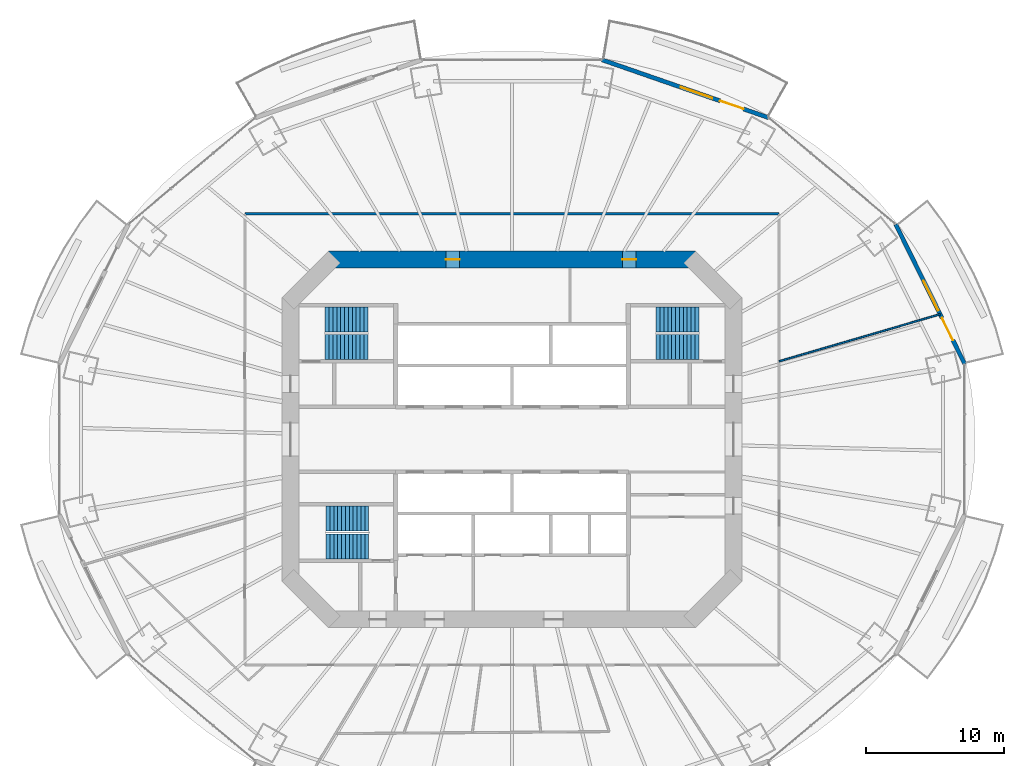
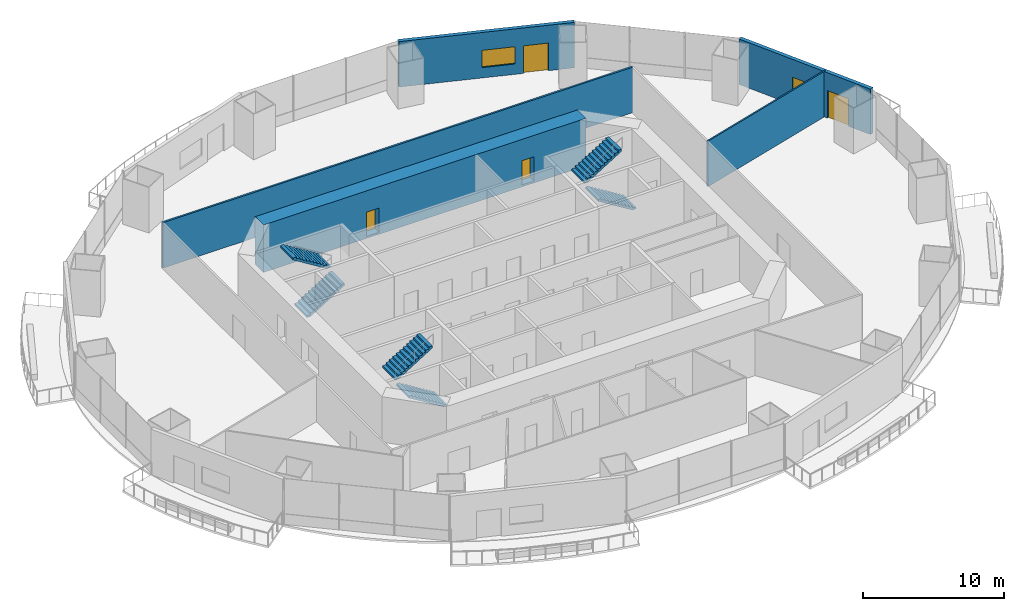
# One storey, part 15 of 18: 6 stair flights, 5 walls, 4 doors, 2 windows, 6 openings, 3 elements without a shape of their own.
"""IFC4 building model written with IfcOpenShell, lengths in metres."""

from ifc_helpers import new_model, si_unit, direction, frame, frame_2d, origin, place, context, subcontext, project, spatial, polyline, rectangle, outline, extrude, material, layer, layer_set, type_object, element, fill, aggregate, save


model = new_model("IFC4")

# Units and contexts
model_context = context("Model", 3, precision=1e-05, world=origin(), true_north=direction((0.0, 1.0)))
body_context = subcontext(model_context, "Body", "Model", "MODEL_VIEW")
ifc_project = project(units=[si_unit("LENGTHUNIT", "METRE"), si_unit("AREAUNIT", "SQUARE_METRE"), si_unit("VOLUMEUNIT", "CUBIC_METRE"), si_unit("PLANEANGLEUNIT", "RADIAN"), si_unit("MASSUNIT", "GRAM", prefix="KILO")], contexts=[model_context])

# Site, building, storey
site_placement = place(None, origin())
site = spatial("IfcSite", under=ifc_project, at=site_placement, CompositionType="ELEMENT")
building_placement = place(site_placement, origin())
building = spatial("IfcBuilding", under=site, at=building_placement, Name="Marenthal Gate Tower", CompositionType="ELEMENT")
storey_placement = place(building_placement, frame((0.0, 0.0, 140.89990234375)))
storey = spatial("IfcBuildingStorey", under=building, at=storey_placement, Name="L30", CompositionType="ELEMENT", Elevation=140.89990234375)

# Wall, openings, doors
ifc_material_1 = material(Name="Concrete 60 MPa", Category="concrete")
ifc_layer_1 = layer(ifc_material_1, 1.199951171875)
ifc_layer_set_1 = layer_set([ifc_layer_1], Name="Core shear wall 1200")
wall_type_1 = type_object("IfcWallType", Name="Core shear wall 1200", PredefinedType="SHEAR", material=ifc_layer_set_1)
wall_1_placement = place(storey_placement, frame((13.24853515625, 13.0, -0.179931640625), z_axis=(0.0, 0.0, 1.0), x_axis=(-1.0, 0.0, 0.0)))
wall_1 = element("IfcWall", 1, at=wall_1_placement, inside=storey, type_object=wall_type_1, Name="Core wall 04", PredefinedType="SHEAR", context=body_context, shape_type="SweptSolid", body=[
    extrude(rectangle(XDim=26.4970703125, YDim=1.199951171875, at=frame_2d((13.24853515625, 0.0))), origin(), (0.0, 0.0, 1.0), 4.130126953125),
])
opening_1_placement = place(wall_1_placement, frame((17.0244140625, 0.0, 0.179931640625)))
opening_1 = element("IfcOpeningElement", 2, at=opening_1_placement, cuts=wall_1, Name="Opening D005.01", PredefinedType="OPENING", context=body_context, shape_type="SweptSolid", body=[
    extrude(rectangle(XDim=1.0, YDim=2.10009765625, at=frame_2d((0.5, 1.050048828125))), frame((0.0, 0.60986328125, 0.0), z_axis=(0.0, -1.0, 0.0), x_axis=(1.0, 0.0, 0.0)), (0.0, 0.0, 1.0), 1.219970703125),
])
opening_2_placement = place(wall_1_placement, frame((4.2724609375, 0.0, 0.179931640625)))
opening_2 = element("IfcOpeningElement", 3, at=opening_2_placement, cuts=wall_1, Name="Opening D005.02", PredefinedType="OPENING", context=body_context, shape_type="SweptSolid", body=[
    extrude(rectangle(XDim=1.0, YDim=2.10009765625, at=frame_2d((0.5, 1.050048828125))), frame((0.0, 0.60986328125, 0.0), z_axis=(0.0, -1.0, 0.0), x_axis=(1.0, 0.0, 0.0)), (0.0, 0.0, 1.0), 1.219970703125),
])
ifc_material_2 = material(Name="Steel fire door", Category="steel")
door_type_1 = type_object("IfcDoorType", Name="Fire door FD 45 1000 x 2100", OperationType="NOTDEFINED", PredefinedType="DOOR", material=ifc_material_2)
door_1_placement = place(opening_1_placement, origin())
door_1 = element("IfcDoor", 4, at=door_1_placement, inside=storey, type_object=door_type_1, Name="Door D005.01", OperationType="SINGLE_SWING_RIGHT", OverallHeight=2.10009765625, OverallWidth=1.0, PredefinedType="DOOR", context=body_context, shape_type="SweptSolid", body=[
    extrude(rectangle(XDim=1.0, YDim=2.10009765625, at=frame_2d((0.5, 1.050048828125))), frame((0.0, 0.02490234375, 0.0), z_axis=(0.0, -1.0, 0.0), x_axis=(1.0, 0.0, 0.0)), (0.0, 0.0, 1.0), 0.050048828125),
])
fill(opening_1, door_1)
door_2_placement = place(opening_2_placement, origin())
door_2 = element("IfcDoor", 5, at=door_2_placement, inside=storey, type_object=door_type_1, Name="Door D005.02", OperationType="SINGLE_SWING_RIGHT", OverallHeight=2.10009765625, OverallWidth=1.0, PredefinedType="DOOR", context=body_context, shape_type="SweptSolid", body=[
    extrude(rectangle(XDim=1.0, YDim=2.10009765625, at=frame_2d((0.5, 1.050048828125))), frame((0.0, 0.02490234375, 0.0), z_axis=(0.0, -1.0, 0.0), x_axis=(1.0, 0.0, 0.0)), (0.0, 0.0, 1.0), 0.050048828125),
])
fill(opening_2, door_2)

# Walls
ifc_material_3 = material(Name="Gypsum board on steel studs", Category="steel")
ifc_layer_2 = layer(ifc_material_3, 0.1201171875)
ifc_layer_set_2 = layer_set([ifc_layer_2], Name="Partition 120")
wall_type_2 = type_object("IfcWallType", Name="Partition 120", PredefinedType="PARTITIONING", material=ifc_layer_set_2)
wall_2_placement = place(storey_placement, frame((19.300048828125, 5.64111328125, 0.0), z_axis=(0.0, 0.0, 1.0), x_axis=(0.959840289201, 0.280547000032, 0.0)))
element("IfcWall", 6, at=wall_2_placement, inside=storey, type_object=wall_type_2, Name="Partition wall 60", PredefinedType="PARTITIONING", context=body_context, shape_type="SweptSolid", body=[
    extrude(rectangle(XDim=12.1162109375, YDim=0.1201171875, at=frame_2d((6.05810546875, 0.0))), origin(), (0.0, 0.0, 1.0), 3.9501953125),
])
ifc_material_4 = material(Name="Gypsum board on steel studs", Category="steel")
ifc_layer_3 = layer(ifc_material_4, 0.14990234375)
ifc_layer_set_3 = layer_set([ifc_layer_3], Name="Partition 150")
wall_type_3 = type_object("IfcWallType", Name="Partition 150", PredefinedType="PARTITIONING", material=ifc_layer_set_3)
wall_3_placement = place(storey_placement, frame((-19.300048828125, 16.300048828125, 0.0), z_axis=(0.0, 0.0, 1.0), x_axis=(1.0, 0.0, 0.0)))
element("IfcWall", 7, at=wall_3_placement, inside=storey, type_object=wall_type_3, Name="Partition wall 50", PredefinedType="PARTITIONING", context=body_context, shape_type="SweptSolid", body=[
    extrude(rectangle(XDim=38.60009765625, YDim=0.14990234375, at=frame_2d((19.300048828125, 0.0))), origin(), (0.0, 0.0, 1.0), 3.9501953125),
])

# Wall, openings, door, window
ifc_material_5 = material(Name="Terracotta cladding on insulated concrete-block backing", Category="masonry")
ifc_layer_4 = layer(ifc_material_5, 0.300048828125)
ifc_layer_set_4 = layer_set([ifc_layer_4], Name="Terracotta facade wall 300")
wall_type_4 = type_object("IfcWallType", Name="Terracotta facade wall 300", PredefinedType="SOLIDWALL", material=ifc_layer_set_4)
wall_4_placement = place(storey_placement, frame((32.701416015625, 5.4541015625, 0.0), z_axis=(0.0, 0.0, 1.0), x_axis=(-0.442899302783, 0.896571362243, 0.0)))
wall_4 = element("IfcWall", 8, at=wall_4_placement, inside=storey, type_object=wall_type_4, Name="Terracotta facade wall L30 bay 1", PredefinedType="SOLIDWALL", context=body_context, shape_type="SweptSolid", body=[
    extrude(rectangle(XDim=11.24072265625, YDim=0.300048828125, at=frame_2d((5.620361328125, 0.0))), origin(), (0.0, 0.0, 1.0), 3.9501953125),
])
opening_3_placement = place(wall_4_placement, frame((1.89990234375, 0.0, 0.0)))
opening_3 = element("IfcOpeningElement", 9, at=opening_3_placement, cuts=wall_4, Name="Opening BD-L30-01", PredefinedType="OPENING", context=body_context, shape_type="SweptSolid", body=[
    extrude(rectangle(XDim=1.800048828125, YDim=2.39990234375, at=frame_2d((0.89990234375, 1.199951171875))), frame((0.0, 0.16015625, 0.0), z_axis=(0.0, -1.0, 0.0), x_axis=(1.0, 0.0, 0.0)), (0.0, 0.0, 1.0), 0.320068359375),
])
opening_4_placement = place(wall_4_placement, frame((4.300048828125, 0.0, 0.89990234375)))
opening_4 = element("IfcOpeningElement", 10, at=opening_4_placement, cuts=wall_4, Name="Opening WN1-L30-01", PredefinedType="OPENING", context=body_context, shape_type="SweptSolid", body=[
    extrude(rectangle(XDim=2.39990234375, YDim=1.5, at=frame_2d((1.199951171875, 0.75))), frame((0.0, 0.16015625, 0.0), z_axis=(0.0, -1.0, 0.0), x_axis=(1.0, 0.0, 0.0)), (0.0, 0.0, 1.0), 0.320068359375),
])
ifc_material_6 = material(Name="Aluminium and glass", Category="aluminium")
door_type_2 = type_object("IfcDoorType", Name="Balcony door 1800x2400", OperationType="DOUBLE_DOOR_SINGLE_SWING", PredefinedType="DOOR", material=ifc_material_6)
door_3_placement = place(opening_3_placement, origin())
door_3 = element("IfcDoor", 11, at=door_3_placement, inside=storey, type_object=door_type_2, Name="Balcony door L30 bay 1", OperationType="SINGLE_SWING_LEFT", OverallHeight=2.39990234375, OverallWidth=1.800048828125, PredefinedType="DOOR", context=body_context, shape_type="SweptSolid", body=[
    extrude(rectangle(XDim=1.800048828125, YDim=2.39990234375, at=frame_2d((0.89990234375, 1.199951171875))), frame((0.0, 0.02490234375, 0.0), z_axis=(0.0, -1.0, 0.0), x_axis=(1.0, 0.0, 0.0)), (0.0, 0.0, 1.0), 0.050048828125),
])
fill(opening_3, door_3)
ifc_material_7 = material(Name="Aluminium and glass", Category="aluminium")
window_type = type_object("IfcWindowType", Name="Window 2400x1500", PartitioningType="TRIPLE_PANEL_VERTICAL", PredefinedType="WINDOW", material=ifc_material_7)
window_1_placement = place(opening_4_placement, origin())
window_1 = element("IfcWindow", 12, at=window_1_placement, inside=storey, type_object=window_type, Name="Window L30 bay 1", OverallHeight=1.5, OverallWidth=2.39990234375, PartitioningType="SINGLE_PANEL", PredefinedType="WINDOW", context=body_context, shape_type="SweptSolid", body=[
    extrude(rectangle(XDim=2.39990234375, YDim=1.5, at=frame_2d((1.199951171875, 0.75))), frame((0.0, 0.030029296875, 0.0), z_axis=(0.0, -1.0, 0.0), x_axis=(1.0, 0.0, 0.0)), (0.0, 0.0, 1.0), 0.06005859375),
])
fill(opening_4, window_1)

wall_5_placement = place(storey_placement, frame((18.523681640625, 23.245361328125, 0.0), z_axis=(0.0, 0.0, 1.0), x_axis=(-0.944642444618, 0.328101587661, 0.0)))
wall_5 = element("IfcWall", 13, at=wall_5_placement, inside=storey, type_object=wall_type_4, Name="Terracotta facade wall L30 bay 3", PredefinedType="SOLIDWALL", context=body_context, shape_type="SweptSolid", body=[
    extrude(rectangle(XDim=12.723388671875, YDim=0.300048828125, at=frame_2d((6.36181640625, 0.0))), origin(), (0.0, 0.0, 1.0), 3.9501953125),
])
opening_5_placement = place(wall_5_placement, frame((1.89990234375, 0.0, 0.0)))
opening_5 = element("IfcOpeningElement", 14, at=opening_5_placement, cuts=wall_5, Name="Opening BD-L30-03", PredefinedType="OPENING", context=body_context, shape_type="SweptSolid", body=[
    extrude(rectangle(XDim=1.800048828125, YDim=2.39990234375, at=frame_2d((0.89990234375, 1.199951171875))), frame((0.0, 0.16015625, 0.0), z_axis=(0.0, -1.0, 0.0), x_axis=(1.0, 0.0, 0.0)), (0.0, 0.0, 1.0), 0.320068359375),
])
opening_6_placement = place(wall_5_placement, frame((4.300048828125, 0.0, 0.89990234375)))
opening_6 = element("IfcOpeningElement", 15, at=opening_6_placement, cuts=wall_5, Name="Opening WN1-L30-03", PredefinedType="OPENING", context=body_context, shape_type="SweptSolid", body=[
    extrude(rectangle(XDim=2.39990234375, YDim=1.5, at=frame_2d((1.199951171875, 0.75))), frame((0.0, 0.16015625, 0.0), z_axis=(0.0, -1.0, 0.0), x_axis=(1.0, 0.0, 0.0)), (0.0, 0.0, 1.0), 0.320068359375),
])
door_4_placement = place(opening_5_placement, origin())
door_4 = element("IfcDoor", 16, at=door_4_placement, inside=storey, type_object=door_type_2, Name="Balcony door L30 bay 3", OperationType="SINGLE_SWING_LEFT", OverallHeight=2.39990234375, OverallWidth=1.800048828125, PredefinedType="DOOR", context=body_context, shape_type="SweptSolid", body=[
    extrude(rectangle(XDim=1.800048828125, YDim=2.39990234375, at=frame_2d((0.89990234375, 1.199951171875))), frame((0.0, 0.02490234375, 0.0), z_axis=(0.0, -1.0, 0.0), x_axis=(1.0, 0.0, 0.0)), (0.0, 0.0, 1.0), 0.050048828125),
])
fill(opening_5, door_4)
window_2_placement = place(opening_6_placement, origin())
window_2 = element("IfcWindow", 17, at=window_2_placement, inside=storey, type_object=window_type, Name="Window L30 bay 3", OverallHeight=1.5, OverallWidth=2.39990234375, PartitioningType="SINGLE_PANEL", PredefinedType="WINDOW", context=body_context, shape_type="SweptSolid", body=[
    extrude(rectangle(XDim=2.39990234375, YDim=1.5, at=frame_2d((1.199951171875, 0.75))), frame((0.0, 0.030029296875, 0.0), z_axis=(0.0, -1.0, 0.0), x_axis=(1.0, 0.0, 0.0)), (0.0, 0.0, 1.0), 0.06005859375),
])
fill(opening_6, window_2)

# Stair, stair flights
ifc_material_8 = material(Name="Concrete 40 MPa", Category="concrete")
stair_type = type_object("IfcStairType", Name="Exit stair 1800", PredefinedType="HALF_TURN_STAIR", material=ifc_material_8)
stair_1_placement = place(storey_placement, origin())
stair_1 = element("IfcStair", 18, at=stair_1_placement, inside=storey, type_object=stair_type, Name="Stair ST1", PredefinedType="HALF_TURN_STAIR")
ifc_material_9 = material(Name="Concrete 40 MPa", Category="concrete")
stair_flight_type = type_object("IfcStairFlightType", Name="Stair flight 1800", PredefinedType="STRAIGHT", material=ifc_material_9)
stair_flight_1_placement = place(storey_placement, frame((-13.5, 6.675048828125, 0.0), z_axis=(0.0, 0.0, 1.0), x_axis=(1.0, 0.0, 0.0)))
stair_flight_1 = element("IfcStairFlight", 19, at=stair_flight_1_placement, type_object=stair_flight_type, Name="ST1 flight 1", NumberOfRisers=12, NumberOfTreads=11, PredefinedType="STRAIGHT", RiserHeight=0.172916667, TreadLength=0.28, context=body_context, shape_type="SweptSolid", body=[
    extrude(outline(polyline([(0.0, 0.0), (0.0, 0.1728515625), (0.280029296875, 0.1728515625), (0.280029296875, 0.345947265625), (0.56005859375, 0.345947265625), (0.56005859375, 0.518798828125), (0.840087890625, 0.518798828125), (0.840087890625, 0.691650390625), (1.1201171875, 0.691650390625), (1.1201171875, 0.864501953125), (1.39990234375, 0.864501953125), (1.39990234375, 1.03759765625), (1.679931640625, 1.03759765625), (1.679931640625, 1.21044921875), (1.9599609375, 1.21044921875), (1.9599609375, 1.38330078125), (2.239990234375, 1.38330078125), (2.239990234375, 1.55615234375), (2.52001953125, 1.55615234375), (2.52001953125, 1.729248046875), (2.800048828125, 1.729248046875), (2.800048828125, 1.902099609375), (3.080078125, 1.902099609375), (3.080078125, 2.074951171875), (3.080078125, 1.725830078125), (0.285400390625, 0.0), (0.0, 0.0)])), frame((0.0, 0.89990234375, 0.0), z_axis=(0.0, -1.0, 0.0), x_axis=(1.0, 0.0, 0.0)), (0.0, 0.0, 1.0), 1.800048828125),
])
stair_flight_2_placement = place(storey_placement, frame((-10.419921875, 8.675048828125, 2.0751953125), z_axis=(0.0, 0.0, 1.0), x_axis=(-1.0, 0.0, 0.0)))
stair_flight_2 = element("IfcStairFlight", 20, at=stair_flight_2_placement, type_object=stair_flight_type, Name="ST1 flight 2", NumberOfRisers=12, NumberOfTreads=11, PredefinedType="STRAIGHT", RiserHeight=0.172916667, TreadLength=0.28, context=body_context, shape_type="SweptSolid", body=[
    extrude(outline(polyline([(0.0, 0.0), (0.0, 0.1728515625), (0.280029296875, 0.1728515625), (0.280029296875, 0.345947265625), (0.56005859375, 0.345947265625), (0.56005859375, 0.518798828125), (0.840087890625, 0.518798828125), (0.840087890625, 0.691650390625), (1.1201171875, 0.691650390625), (1.1201171875, 0.864501953125), (1.39990234375, 0.864501953125), (1.39990234375, 1.03759765625), (1.679931640625, 1.03759765625), (1.679931640625, 1.21044921875), (1.9599609375, 1.21044921875), (1.9599609375, 1.38330078125), (2.239990234375, 1.38330078125), (2.239990234375, 1.55615234375), (2.52001953125, 1.55615234375), (2.52001953125, 1.729248046875), (2.800048828125, 1.729248046875), (2.800048828125, 1.902099609375), (3.080078125, 1.902099609375), (3.080078125, 2.074951171875), (3.080078125, 1.725830078125), (0.285400390625, 0.0), (0.0, 0.0)])), frame((0.0, 0.89990234375, 0.0), z_axis=(0.0, -1.0, 0.0), x_axis=(1.0, 0.0, 0.0)), (0.0, 0.0, 1.0), 1.800048828125),
])
aggregate(stair_1, [stair_flight_1, stair_flight_2])

stair_2_placement = place(storey_placement, origin())
stair_2 = element("IfcStair", 21, at=stair_2_placement, inside=storey, type_object=stair_type, Name="Stair ST2", PredefinedType="HALF_TURN_STAIR")
stair_flight_3_placement = place(storey_placement, frame((-10.35009765625, -7.72509765625, 0.0), z_axis=(0.0, 0.0, 1.0), x_axis=(-1.0, 0.0, 0.0)))
stair_flight_3 = element("IfcStairFlight", 22, at=stair_flight_3_placement, type_object=stair_flight_type, Name="ST2 flight 1", NumberOfRisers=12, NumberOfTreads=11, PredefinedType="STRAIGHT", RiserHeight=0.172916667, TreadLength=0.28, context=body_context, shape_type="SweptSolid", body=[
    extrude(outline(polyline([(0.0, 0.0), (0.0, 0.1728515625), (0.280029296875, 0.1728515625), (0.280029296875, 0.345947265625), (0.56005859375, 0.345947265625), (0.56005859375, 0.518798828125), (0.840087890625, 0.518798828125), (0.840087890625, 0.691650390625), (1.1201171875, 0.691650390625), (1.1201171875, 0.864501953125), (1.39990234375, 0.864501953125), (1.39990234375, 1.03759765625), (1.679931640625, 1.03759765625), (1.679931640625, 1.21044921875), (1.9599609375, 1.21044921875), (1.9599609375, 1.38330078125), (2.239990234375, 1.38330078125), (2.239990234375, 1.55615234375), (2.52001953125, 1.55615234375), (2.52001953125, 1.729248046875), (2.800048828125, 1.729248046875), (2.800048828125, 1.902099609375), (3.080078125, 1.902099609375), (3.080078125, 2.074951171875), (3.080078125, 1.725830078125), (0.285400390625, 0.0), (0.0, 0.0)])), frame((0.0, 0.89990234375, 0.0), z_axis=(0.0, -1.0, 0.0), x_axis=(1.0, 0.0, 0.0)), (0.0, 0.0, 1.0), 1.800048828125),
])
stair_flight_4_placement = place(storey_placement, frame((-13.429931640625, -5.72509765625, 2.0751953125), z_axis=(0.0, 0.0, 1.0), x_axis=(1.0, 0.0, 0.0)))
stair_flight_4 = element("IfcStairFlight", 23, at=stair_flight_4_placement, type_object=stair_flight_type, Name="ST2 flight 2", NumberOfRisers=12, NumberOfTreads=11, PredefinedType="STRAIGHT", RiserHeight=0.172916667, TreadLength=0.28, context=body_context, shape_type="SweptSolid", body=[
    extrude(outline(polyline([(0.0, 0.0), (0.0, 0.1728515625), (0.280029296875, 0.1728515625), (0.280029296875, 0.345947265625), (0.56005859375, 0.345947265625), (0.56005859375, 0.518798828125), (0.840087890625, 0.518798828125), (0.840087890625, 0.691650390625), (1.1201171875, 0.691650390625), (1.1201171875, 0.864501953125), (1.39990234375, 0.864501953125), (1.39990234375, 1.03759765625), (1.679931640625, 1.03759765625), (1.679931640625, 1.21044921875), (1.9599609375, 1.21044921875), (1.9599609375, 1.38330078125), (2.239990234375, 1.38330078125), (2.239990234375, 1.55615234375), (2.52001953125, 1.55615234375), (2.52001953125, 1.729248046875), (2.800048828125, 1.729248046875), (2.800048828125, 1.902099609375), (3.080078125, 1.902099609375), (3.080078125, 2.074951171875), (3.080078125, 1.725830078125), (0.285400390625, 0.0), (0.0, 0.0)])), frame((0.0, 0.89990234375, 0.0), z_axis=(0.0, -1.0, 0.0), x_axis=(1.0, 0.0, 0.0)), (0.0, 0.0, 1.0), 1.800048828125),
])
aggregate(stair_2, [stair_flight_3, stair_flight_4])

stair_3_placement = place(storey_placement, origin())
stair_3 = element("IfcStair", 24, at=stair_3_placement, inside=storey, type_object=stair_type, Name="Stair ST3", PredefinedType="HALF_TURN_STAIR")
stair_flight_5_placement = place(storey_placement, frame((13.5, 6.675048828125, 0.0), z_axis=(0.0, 0.0, 1.0), x_axis=(-1.0, 0.0, 0.0)))
stair_flight_5 = element("IfcStairFlight", 25, at=stair_flight_5_placement, type_object=stair_flight_type, Name="ST3 flight 1", NumberOfRisers=12, NumberOfTreads=11, PredefinedType="STRAIGHT", RiserHeight=0.172916667, TreadLength=0.28, context=body_context, shape_type="SweptSolid", body=[
    extrude(outline(polyline([(0.0, 0.0), (0.0, 0.1728515625), (0.280029296875, 0.1728515625), (0.280029296875, 0.345947265625), (0.56005859375, 0.345947265625), (0.56005859375, 0.518798828125), (0.840087890625, 0.518798828125), (0.840087890625, 0.691650390625), (1.1201171875, 0.691650390625), (1.1201171875, 0.864501953125), (1.39990234375, 0.864501953125), (1.39990234375, 1.03759765625), (1.679931640625, 1.03759765625), (1.679931640625, 1.21044921875), (1.9599609375, 1.21044921875), (1.9599609375, 1.38330078125), (2.239990234375, 1.38330078125), (2.239990234375, 1.55615234375), (2.52001953125, 1.55615234375), (2.52001953125, 1.729248046875), (2.800048828125, 1.729248046875), (2.800048828125, 1.902099609375), (3.080078125, 1.902099609375), (3.080078125, 2.074951171875), (3.080078125, 1.725830078125), (0.285400390625, 0.0), (0.0, 0.0)])), frame((0.0, 0.89990234375, 0.0), z_axis=(0.0, -1.0, 0.0), x_axis=(1.0, 0.0, 0.0)), (0.0, 0.0, 1.0), 1.800048828125),
])
stair_flight_6_placement = place(storey_placement, frame((10.419921875, 8.675048828125, 2.0751953125), z_axis=(0.0, 0.0, 1.0), x_axis=(1.0, 0.0, 0.0)))
stair_flight_6 = element("IfcStairFlight", 26, at=stair_flight_6_placement, type_object=stair_flight_type, Name="ST3 flight 2", NumberOfRisers=12, NumberOfTreads=11, PredefinedType="STRAIGHT", RiserHeight=0.172916667, TreadLength=0.28, context=body_context, shape_type="SweptSolid", body=[
    extrude(outline(polyline([(0.0, 0.0), (0.0, 0.1728515625), (0.280029296875, 0.1728515625), (0.280029296875, 0.345947265625), (0.56005859375, 0.345947265625), (0.56005859375, 0.518798828125), (0.840087890625, 0.518798828125), (0.840087890625, 0.691650390625), (1.1201171875, 0.691650390625), (1.1201171875, 0.864501953125), (1.39990234375, 0.864501953125), (1.39990234375, 1.03759765625), (1.679931640625, 1.03759765625), (1.679931640625, 1.21044921875), (1.9599609375, 1.21044921875), (1.9599609375, 1.38330078125), (2.239990234375, 1.38330078125), (2.239990234375, 1.55615234375), (2.52001953125, 1.55615234375), (2.52001953125, 1.729248046875), (2.800048828125, 1.729248046875), (2.800048828125, 1.902099609375), (3.080078125, 1.902099609375), (3.080078125, 2.074951171875), (3.080078125, 1.725830078125), (0.285400390625, 0.0), (0.0, 0.0)])), frame((0.0, 0.89990234375, 0.0), z_axis=(0.0, -1.0, 0.0), x_axis=(1.0, 0.0, 0.0)), (0.0, 0.0, 1.0), 1.800048828125),
])
aggregate(stair_3, [stair_flight_5, stair_flight_6])

save(model, "model.ifc")
